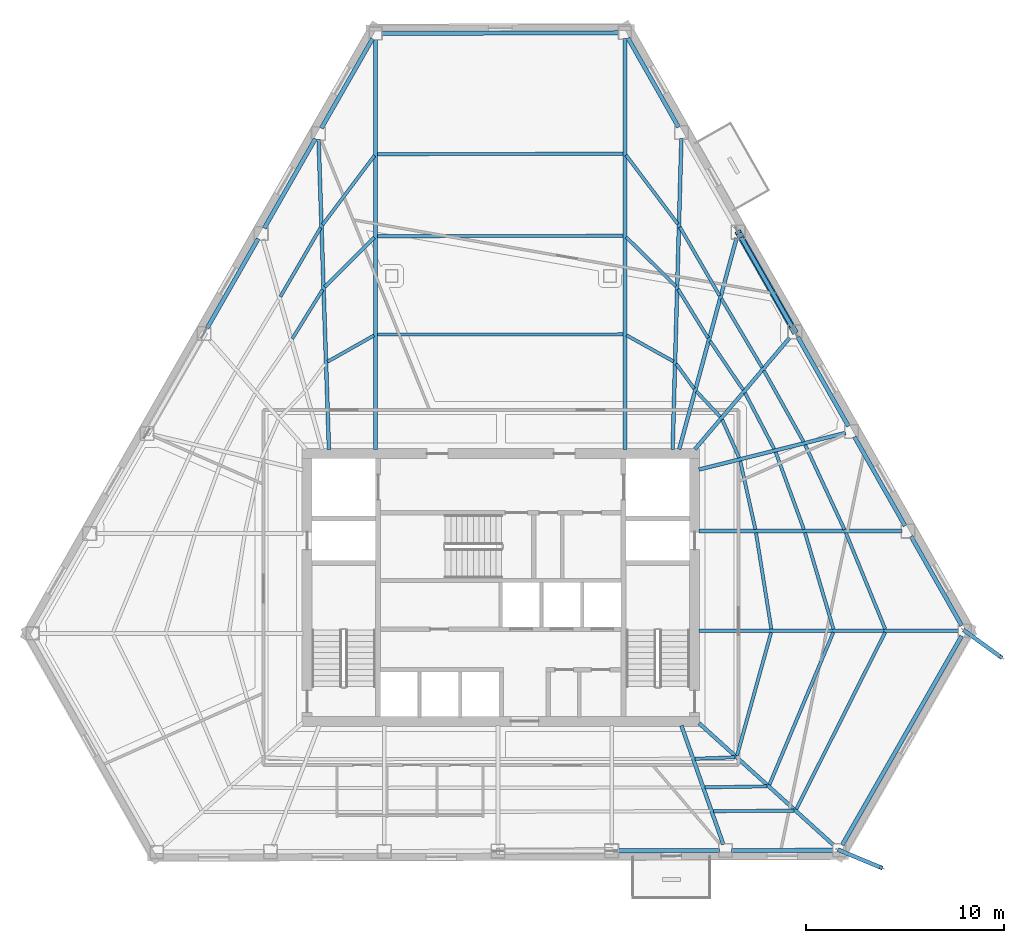
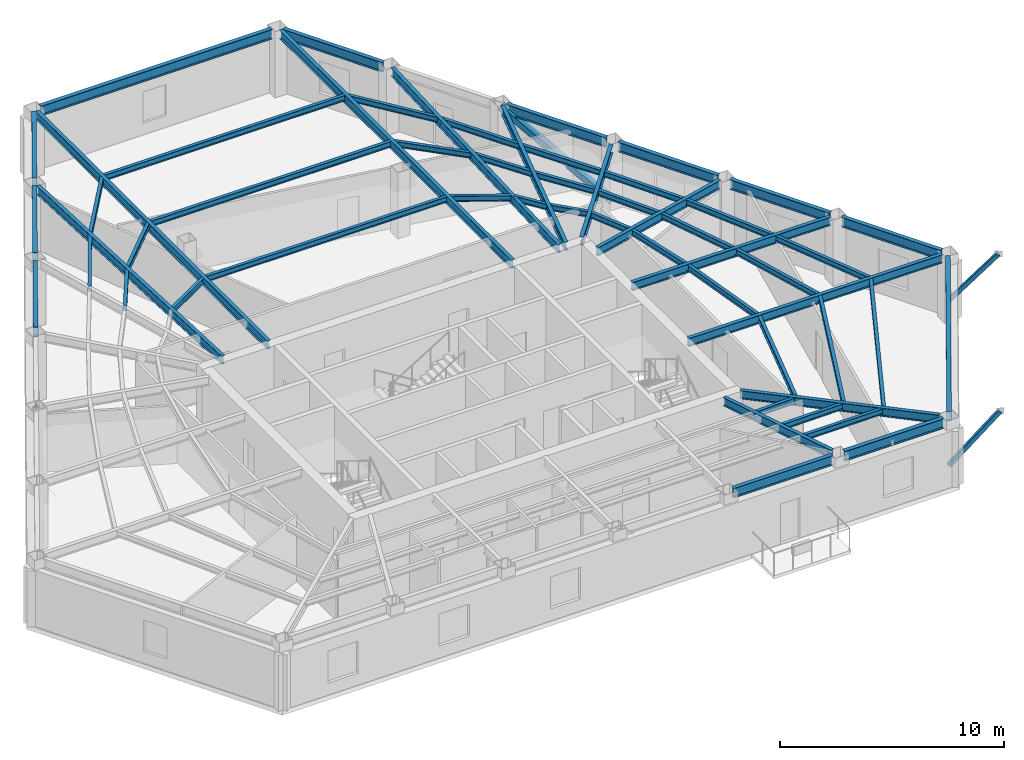
# One storey, part 2 of 11: 55 beams, 3 members.
"""IFC4 building model written with IfcOpenShell, lengths in metres."""

import ifcopenshell
import ifcopenshell.guid

model = None  # the IFC model being written
_history = None  # IfcOwnerHistory: only IFC2X3 demands one
_inside = {}  # id of a spatial element -> (the spatial element, [elements in it])
_under = {}  # id of a project, library or spatial element -> (it, [spatial elements below it])
_declared = {}  # id of a project -> (the project, [libraries it declares])
_typed = {}  # id of a type object -> (the type object, [elements of that type])
_made_of = {}  # id of a material, layer set ... -> (it, [elements and type objects made of it])


def new_model(schema):
    """Start an empty IFC model of exactly this schema.

    Asked for "IFC4X3", IfcOpenShell would pick the latest addendum, in which some entities
    have other attributes; the version numbers below select the first issue.
    IFC2X3 requires an IfcOwnerHistory on every rooted entity: one is made here for all.
    """
    global model, _history
    if schema == "IFC4X3":
        model = ifcopenshell.file(schema_version=(4, 3, 0, 0))
    else:
        model = ifcopenshell.file(schema=schema)
    _inside.clear()
    _under.clear()
    _declared.clear()
    _typed.clear()
    _made_of.clear()
    _history = None
    if model.schema == "IFC2X3":
        org = make("IfcOrganization", Name="unknown")
        user = make(
            "IfcPersonAndOrganization",
            ThePerson=make("IfcPerson", FamilyName="unknown"),
            TheOrganization=org,
        )
        app = make(
            "IfcApplication",
            ApplicationDeveloper=org,
            Version="unknown",
            ApplicationFullName="unknown",
            ApplicationIdentifier="unknown",
        )
        _history = make(
            "IfcOwnerHistory",
            OwningUser=user,
            OwningApplication=app,
            ChangeAction="ADDED",
            CreationDate=0,
        )
    return model


def make(cls, **values):
    """One entity of the class cls with the attributes given. An attribute that is None is left unset."""
    return model.create_entity(
        cls, **{name: value for name, value in values.items() if value is not None}
    )


def rooted(cls, **values):
    """An entity with a GlobalId (a new one), such as an element, a storey or a relation."""
    return make(cls, GlobalId=ifcopenshell.guid.new(), OwnerHistory=_history, **values)


def si_unit(unit_type, name, prefix=None):
    """IfcSIUnit, for example si_unit("LENGTHUNIT", "METRE", prefix="MILLI")."""
    return make("IfcSIUnit", UnitType=unit_type, Prefix=prefix, Name=name)


def assignment(units):
    """IfcUnitAssignment: the units of a project."""
    return None if units is None else make("IfcUnitAssignment", Units=units)


def point(xyz):
    """IfcCartesianPoint."""
    return None if xyz is None else make("IfcCartesianPoint", Coordinates=xyz)


def direction(xyz):
    """IfcDirection."""
    return None if xyz is None else make("IfcDirection", DirectionRatios=xyz)


def frame(location, z_axis=None, x_axis=None):
    """IfcAxis2Placement3D, a coordinate frame: its origin and axes. An axis left out is left unset."""
    return make(
        "IfcAxis2Placement3D",
        Location=point(location),
        Axis=direction(z_axis),
        RefDirection=direction(x_axis),
    )


def frame_2d(location, x_axis=None):
    """IfcAxis2Placement2D, a coordinate frame in the plane: its origin and x axis."""
    return make(
        "IfcAxis2Placement2D", Location=point(location), RefDirection=direction(x_axis)
    )


def origin():
    """The frame at (0, 0, 0) with its axes left unset."""
    return frame((0.0, 0.0, 0.0))


def origin_2d():
    """The frame at (0, 0) in the plane with its x axis left unset."""
    return frame_2d((0.0, 0.0))


def place(relative_to, where):
    """IfcLocalPlacement: puts the frame where relative to a parent placement (None: the world)."""
    return make(
        "IfcLocalPlacement", PlacementRelTo=relative_to, RelativePlacement=where
    )


def context(
    kind, dimensions, precision=None, world=None, true_north=None, identifier=None
):
    """IfcGeometricRepresentationContext, for example the 3D "Model" context."""
    return make(
        "IfcGeometricRepresentationContext",
        ContextIdentifier=identifier,
        ContextType=kind,
        CoordinateSpaceDimension=dimensions,
        Precision=precision,
        WorldCoordinateSystem=world,
        TrueNorth=true_north,
    )


def subcontext(parent, identifier, kind, view, scale=None):
    """IfcGeometricRepresentationSubContext, for example "Body" below "Model"."""
    return make(
        "IfcGeometricRepresentationSubContext",
        ContextIdentifier=identifier,
        ContextType=kind,
        ParentContext=parent,
        TargetScale=scale,
        TargetView=view,
    )


def project(units=None, contexts=None):
    """IfcProject with its units and contexts."""
    return rooted(
        "IfcProject",
        Name="project",
        RepresentationContexts=contexts,
        UnitsInContext=assignment(units),
    )


def spatial(cls, under=None, at=None, **own):
    """A site, building, storey or space (cls), placed at a placement, below another one or the project."""
    s = rooted(cls, ObjectPlacement=at, **own)
    if under is not None:
        _under.setdefault(under.id(), (under, []))[1].append(s)
    return s


def profile(cls, at=None, kind="AREA", **sizes):
    """A parametric profile (cls). Its sizes go by their IFC names, for example OverallWidth=200.0."""
    return make(cls, ProfileType=kind, Position=at, **sizes)


def hollow_rectangle(**sizes):
    """IfcRectangleHollowProfileDef."""
    return profile("IfcRectangleHollowProfileDef", **sizes)


def i_section(**sizes):
    """IfcIShapeProfileDef."""
    return profile("IfcIShapeProfileDef", **sizes)


def extrude(swept, where, along, depth):
    """IfcExtrudedAreaSolid: the profile swept, set in the frame where, extruded along a direction by depth."""
    return make(
        "IfcExtrudedAreaSolid",
        SweptArea=swept,
        Position=where,
        ExtrudedDirection=direction(along),
        Depth=depth,
    )


def shape(context_of_items, identifier, shape_type, items):
    """IfcShapeRepresentation: the items that make up one representation, for example the "Body"."""
    return make(
        "IfcShapeRepresentation",
        ContextOfItems=context_of_items,
        RepresentationIdentifier=identifier,
        RepresentationType=shape_type,
        Items=items,
    )


def material(Name=None, Category=None):
    """IfcMaterial."""
    return make("IfcMaterial", Name=Name, Category=Category)


def material_profile(
    of_material, cross_section, Name=None, Category=None, Priority=None
):
    """IfcMaterialProfile: a cross section and its material."""
    return make(
        "IfcMaterialProfile",
        Name=Name,
        Material=of_material,
        Profile=cross_section,
        Priority=Priority,
        Category=Category,
    )


def profile_set(profiles, Name=None, composite=None):
    """IfcMaterialProfileSet."""
    return make(
        "IfcMaterialProfileSet",
        Name=Name,
        MaterialProfiles=profiles,
        CompositeProfile=composite,
    )


def made_of(thing, what):
    """Note that an element or type object is made of a material, layer set ...; save() writes the relation."""
    if what is not None:
        _made_of.setdefault(what.id(), (what, []))[1].append(thing)
    return thing


def type_object(cls, material=None, **own):
    """A type object (cls), such as IfcWallType, which elements share."""
    return made_of(rooted(cls, **own), material)


def element(
    cls,
    number,
    at=None,
    inside=None,
    cuts=None,
    type_object=None,
    material=None,
    context=None,
    identifier="Body",
    shape_type=None,
    held_by="IfcProductDefinitionShape",
    body=None,
    shapes=None,
    **own,
):
    """One element of the class cls, such as IfcWall. Its Tag is "e" and its number.

    at: its placement. inside: the storey or other place that contains it. cuts: it is an
    opening in that element (IfcRelVoidsElement). A single representation is given by context,
    identifier, shape_type and body (its items); several are given by shapes. held_by: the class
    of the entity that holds the representations. save() writes the other relations.
    """
    e = rooted(cls, Tag="e%d" % number, ObjectPlacement=at, **own)
    if body is not None:
        shapes = [shape(context, identifier, shape_type, body)]
    if shapes is not None:
        e.Representation = make(held_by, Representations=shapes)
    if inside is not None:
        _inside.setdefault(inside.id(), (inside, []))[1].append(e)
    if cuts is not None:
        rooted(
            "IfcRelVoidsElement", RelatingBuildingElement=cuts, RelatedOpeningElement=e
        )
    if type_object is not None:
        _typed.setdefault(type_object.id(), (type_object, []))[1].append(e)
    return made_of(e, material)


def aggregate(whole, parts):
    """IfcRelAggregates: a whole, such as a stair, and the parts it consists of."""
    return rooted("IfcRelAggregates", RelatingObject=whole, RelatedObjects=parts)


def save(model, path):
    """Write the relations noted so far, then the file.

    IfcRelAggregates (storeys below a building ...), IfcRelContainedInSpatialStructure (elements
    in a storey), IfcRelDefinesByType, IfcRelAssociatesMaterial and IfcRelDeclares: one each for
    every whole, place, type object, material and project.
    """
    for whole, parts in _under.values():
        aggregate(whole, parts)
    for where, things in _inside.values():
        rooted(
            "IfcRelContainedInSpatialStructure",
            RelatedElements=things,
            RelatingStructure=where,
        )
    for kind, things in _typed.values():
        rooted("IfcRelDefinesByType", RelatedObjects=things, RelatingType=kind)
    for what, things in _made_of.values():
        rooted("IfcRelAssociatesMaterial", RelatedObjects=things, RelatingMaterial=what)
    for by, libraries in _declared.values():
        rooted("IfcRelDeclares", RelatingContext=by, RelatedDefinitions=libraries)
    model.write(path)


model = new_model("IFC4")

# Units and contexts
model_context = context("Model", 3, precision=1e-05, world=origin(), true_north=direction((0.0, 1.0)))
body_context = subcontext(model_context, "Body", "Model", "MODEL_VIEW")
ifc_project = project(units=[si_unit("LENGTHUNIT", "METRE"), si_unit("AREAUNIT", "SQUARE_METRE"), si_unit("VOLUMEUNIT", "CUBIC_METRE"), si_unit("PLANEANGLEUNIT", "RADIAN"), si_unit("MASSUNIT", "GRAM", prefix="KILO")], contexts=[model_context])

# Site, building, storey
site_placement = place(None, origin())
site = spatial("IfcSite", under=ifc_project, at=site_placement, CompositionType="ELEMENT")
building_placement = place(site_placement, origin())
building = spatial("IfcBuilding", under=site, at=building_placement, Name="Kavelnor Concourse Tower", CompositionType="ELEMENT")
storey_placement = place(building_placement, frame((0.0, 0.0, 89.35009765625)))
storey = spatial("IfcBuildingStorey", under=building, at=storey_placement, Name="L22", CompositionType="ELEMENT", Elevation=89.35009765625)

# Beams
ifc_material = material(Name="Steel Grade 350", Category="steel")
ifc_material_profile_1 = material_profile(ifc_material, i_section(OverallWidth=0.166015625, OverallDepth=0.306884765625, WebThickness=0.006591796875, FlangeThickness=0.01171875, at=origin_2d()), Name="310UB46")
ifc_profile_set_1 = profile_set([ifc_material_profile_1], Name="Steel Grade 350")
beam_type_1 = type_object("IfcBeamType", Name="BM-JOIST-310", PredefinedType="JOIST", material=ifc_profile_set_1)
beam_1_placement = place(storey_placement, frame((47.781494140625, 7.46240234375, 3.4462890625), z_axis=(0.999246227006, 0.038819812145, 0.0), x_axis=(-0.038819812145, 0.999246227006, 0.0)))
element("IfcBeam", 1, at=beam_1_placement, inside=storey, type_object=beam_type_1, Name="L22 Secondary Composite Joist 07-1", PredefinedType="JOIST", context=body_context, shape_type="SweptSolid", body=[
    extrude(i_section(OverallWidth=0.166015625, OverallDepth=0.306884765625, WebThickness=0.006591796875, FlangeThickness=0.01171875, at=origin_2d()), origin(), (0.0, 0.0, 1.0), 2.012451171875),
])
beam_2_placement = place(storey_placement, frame((48.2890625, 6.021240234375, 3.4462890625), z_axis=(0.999861530289, 0.016640920921, 0.0), x_axis=(-0.016640920921, 0.999861530289, 0.0)))
element("IfcBeam", 2, at=beam_2_placement, inside=storey, type_object=beam_type_1, Name="L22 Secondary Composite Joist 07-2", PredefinedType="JOIST", context=body_context, shape_type="SweptSolid", body=[
    extrude(i_section(OverallWidth=0.166015625, OverallDepth=0.306884765625, WebThickness=0.006591796875, FlangeThickness=0.01171875, at=origin_2d()), origin(), (0.0, 0.0, 1.0), 3.125),
])
beam_3_placement = place(storey_placement, frame((48.7119140625, 4.8212890625, 3.4462890625), z_axis=(0.999975582217, 0.006988202153, 0.0), x_axis=(-0.006988202153, 0.999975582217, 0.0)))
element("IfcBeam", 3, at=beam_3_placement, inside=storey, type_object=beam_type_1, Name="L22 Secondary Composite Joist 07-3", PredefinedType="JOIST", context=body_context, shape_type="SweptSolid", body=[
    extrude(i_section(OverallWidth=0.166015625, OverallDepth=0.306884765625, WebThickness=0.006591796875, FlangeThickness=0.01171875, at=origin_2d()), origin(), (0.0, 0.0, 1.0), 4.052490234375),
])
beam_4_placement = place(storey_placement, frame((49.9052734375, 7.629638671875, 3.4462890625), z_axis=(0.267074278814, 0.963675946362, 0.0), x_axis=(-0.963675946362, 0.267074278814, 0.0)))
element("IfcBeam", 4, at=beam_4_placement, inside=storey, type_object=beam_type_1, Name="L22 Secondary Composite Joist 08-1", PredefinedType="JOIST", context=body_context, shape_type="SweptSolid", body=[
    extrude(i_section(OverallWidth=0.166015625, OverallDepth=0.306884765625, WebThickness=0.006591796875, FlangeThickness=0.01171875, at=origin_2d()), origin(), (0.0, 0.0, 1.0), 6.43359375),
])
beam_5_placement = place(storey_placement, frame((51.537109375, 6.15673828125, 3.4462890625), z_axis=(0.38670736552, 0.922202479639, 0.0), x_axis=(-0.922202479639, 0.38670736552, 0.0)))
element("IfcBeam", 5, at=beam_5_placement, inside=storey, type_object=beam_type_1, Name="L22 Secondary Composite Joist 08-2", PredefinedType="JOIST", context=body_context, shape_type="SweptSolid", body=[
    extrude(i_section(OverallWidth=0.166015625, OverallDepth=0.306884765625, WebThickness=0.006591796875, FlangeThickness=0.01171875, at=origin_2d()), origin(), (0.0, 0.0, 1.0), 8.32421875),
])
beam_6_placement = place(storey_placement, frame((52.893310546875, 4.929931640625, 3.4462890625), z_axis=(0.449132836101, 0.893464994018, 0.0), x_axis=(-0.893464994018, 0.449132836101, 0.0)))
element("IfcBeam", 6, at=beam_6_placement, inside=storey, type_object=beam_type_1, Name="L22 Secondary Composite Joist 08-3", PredefinedType="JOIST", context=body_context, shape_type="SweptSolid", body=[
    extrude(i_section(OverallWidth=0.166015625, OverallDepth=0.306884765625, WebThickness=0.006591796875, FlangeThickness=0.01171875, at=origin_2d()), origin(), (0.0, 0.0, 1.0), 9.9677734375),
])
beam_7_placement = place(storey_placement, frame((51.63330078125, 14.003173828125, 3.4462890625), z_axis=(-0.157055519667, 0.987589775029, 0.0), x_axis=(-0.987589775029, -0.157055519667, 0.0)))
element("IfcBeam", 7, at=beam_7_placement, inside=storey, type_object=beam_type_1, Name="L22 Secondary Composite Joist 09-1", PredefinedType="JOIST", context=body_context, shape_type="SweptSolid", body=[
    extrude(i_section(OverallWidth=0.166015625, OverallDepth=0.306884765625, WebThickness=0.006591796875, FlangeThickness=0.01171875, at=origin_2d()), origin(), (0.0, 0.0, 1.0), 4.9091796875),
])
beam_8_placement = place(storey_placement, frame((54.765380859375, 14.000732421875, 3.4462890625), z_axis=(-0.283299751307, 0.95903141289, 0.0), x_axis=(-0.95903141289, -0.283299751307, 0.0)))
element("IfcBeam", 8, at=beam_8_placement, inside=storey, type_object=beam_type_1, Name="L22 Secondary Composite Joist 09-2", PredefinedType="JOIST", context=body_context, shape_type="SweptSolid", body=[
    extrude(i_section(OverallWidth=0.166015625, OverallDepth=0.306884765625, WebThickness=0.006591796875, FlangeThickness=0.01171875, at=origin_2d()), origin(), (0.0, 0.0, 1.0), 5.060302734375),
])
beam_9_placement = place(storey_placement, frame((57.37646484375, 13.997802734375, 3.4462890625), z_axis=(-0.378564031313, 0.925575104568, 0.0), x_axis=(-0.925575104568, -0.378564031313, 0.0)))
element("IfcBeam", 9, at=beam_9_placement, inside=storey, type_object=beam_type_1, Name="L22 Secondary Composite Joist 09-3", PredefinedType="JOIST", context=body_context, shape_type="SweptSolid", body=[
    extrude(i_section(OverallWidth=0.166015625, OverallDepth=0.306884765625, WebThickness=0.006591796875, FlangeThickness=0.01171875, at=origin_2d()), origin(), (0.0, 0.0, 1.0), 5.24951171875),
])
beam_10_placement = place(storey_placement, frame((50.8291015625, 19.02587890625, 3.4462890625), z_axis=(-0.215508647464, 0.97650193183, 0.0), x_axis=(-0.97650193183, -0.215508647464, 0.0)))
element("IfcBeam", 10, at=beam_10_placement, inside=storey, type_object=beam_type_1, Name="L22 Secondary Composite Joist 10-1", PredefinedType="JOIST", context=body_context, shape_type="SweptSolid", body=[
    extrude(i_section(OverallWidth=0.166015625, OverallDepth=0.306884765625, WebThickness=0.006591796875, FlangeThickness=0.01171875, at=origin_2d()), origin(), (0.0, 0.0, 1.0), 3.52783203125),
])
beam_11_placement = place(storey_placement, frame((53.276123046875, 19.022705078125, 3.4462890625), z_axis=(-0.343160985774, 0.939276603479, 0.0), x_axis=(-0.939276603479, -0.343160985774, 0.0)))
element("IfcBeam", 11, at=beam_11_placement, inside=storey, type_object=beam_type_1, Name="L22 Secondary Composite Joist 10-2", PredefinedType="JOIST", context=body_context, shape_type="SweptSolid", body=[
    extrude(i_section(OverallWidth=0.166015625, OverallDepth=0.306884765625, WebThickness=0.006591796875, FlangeThickness=0.01171875, at=origin_2d()), origin(), (0.0, 0.0, 1.0), 4.146240234375),
])
beam_12_placement = place(storey_placement, frame((55.318115234375, 19.019775390625, 3.4462890625), z_axis=(-0.420774472176, 0.907165279078, 0.0), x_axis=(-0.907165279078, -0.420774472176, 0.0)))
element("IfcBeam", 12, at=beam_12_placement, inside=storey, type_object=beam_type_1, Name="L22 Secondary Composite Joist 10-3", PredefinedType="JOIST", context=body_context, shape_type="SweptSolid", body=[
    extrude(i_section(OverallWidth=0.166015625, OverallDepth=0.306884765625, WebThickness=0.006591796875, FlangeThickness=0.01171875, at=origin_2d()), origin(), (0.0, 0.0, 1.0), 4.706787109375),
])
beam_13_placement = place(storey_placement, frame((50.013427734375, 22.638916015625, 3.4462890625), z_axis=(-0.407861790914, 0.913043678863, 0.0), x_axis=(-0.913043678863, -0.407861790914, 0.0)))
element("IfcBeam", 13, at=beam_13_placement, inside=storey, type_object=beam_type_1, Name="L22 Secondary Composite Joist 11-1", PredefinedType="JOIST", context=body_context, shape_type="SweptSolid", body=[
    extrude(i_section(OverallWidth=0.166015625, OverallDepth=0.306884765625, WebThickness=0.006591796875, FlangeThickness=0.01171875, at=origin_2d()), origin(), (0.0, 0.0, 1.0), 2.102294921875),
])
beam_14_placement = place(storey_placement, frame((51.781494140625, 23.079833984375, 3.4462890625), z_axis=(-0.46285377592, 0.886434646275, 0.0), x_axis=(-0.886434646275, -0.46285377592, 0.0)))
element("IfcBeam", 14, at=beam_14_placement, inside=storey, type_object=beam_type_1, Name="L22 Secondary Composite Joist 11-2", PredefinedType="JOIST", context=body_context, shape_type="SweptSolid", body=[
    extrude(i_section(OverallWidth=0.166015625, OverallDepth=0.306884765625, WebThickness=0.006591796875, FlangeThickness=0.01171875, at=origin_2d()), origin(), (0.0, 0.0, 1.0), 3.18896484375),
])
beam_15_placement = place(storey_placement, frame((53.2568359375, 23.447998046875, 3.4462890625), z_axis=(-0.486759935558, 0.873535783546, 0.0), x_axis=(-0.873535783546, -0.486759935558, 0.0)))
element("IfcBeam", 15, at=beam_15_placement, inside=storey, type_object=beam_type_1, Name="L22 Secondary Composite Joist 11-3", PredefinedType="JOIST", context=body_context, shape_type="SweptSolid", body=[
    extrude(i_section(OverallWidth=0.166015625, OverallDepth=0.306884765625, WebThickness=0.006591796875, FlangeThickness=0.01171875, at=origin_2d()), origin(), (0.0, 0.0, 1.0), 4.099853515625),
])
beam_16_placement = place(storey_placement, frame((49.058837890625, 24.70458984375, 3.4462890625), z_axis=(-0.685425658619, 0.728142614126, 0.0), x_axis=(-0.728142614126, -0.685425658619, 0.0)))
element("IfcBeam", 16, at=beam_16_placement, inside=storey, type_object=beam_type_1, Name="L22 Secondary Composite Joist 12-1", PredefinedType="JOIST", context=body_context, shape_type="SweptSolid", body=[
    extrude(i_section(OverallWidth=0.166015625, OverallDepth=0.306884765625, WebThickness=0.006591796875, FlangeThickness=0.01171875, at=origin_2d()), origin(), (0.0, 0.0, 1.0), 1.748779296875),
])
beam_17_placement = place(storey_placement, frame((50.21435546875, 26.05908203125, 3.4462890625), z_axis=(-0.561114523132, 0.827738178369, 0.0), x_axis=(-0.827738178369, -0.561114523132, 0.0)))
element("IfcBeam", 17, at=beam_17_placement, inside=storey, type_object=beam_type_1, Name="L22 Secondary Composite Joist 12-2", PredefinedType="JOIST", context=body_context, shape_type="SweptSolid", body=[
    extrude(i_section(OverallWidth=0.166015625, OverallDepth=0.306884765625, WebThickness=0.006591796875, FlangeThickness=0.01171875, at=origin_2d()), origin(), (0.0, 0.0, 1.0), 2.978759765625),
])
beam_18_placement = place(storey_placement, frame((51.172607421875, 27.18359375, 3.4462890625), z_axis=(-0.50997336152, 0.860190194399, 0.0), x_axis=(-0.860190194399, -0.50997336152, 0.0)))
element("IfcBeam", 18, at=beam_18_placement, inside=storey, type_object=beam_type_1, Name="L22 Secondary Composite Joist 12-3", PredefinedType="JOIST", context=body_context, shape_type="SweptSolid", body=[
    extrude(i_section(OverallWidth=0.166015625, OverallDepth=0.306884765625, WebThickness=0.006591796875, FlangeThickness=0.01171875, at=origin_2d()), origin(), (0.0, 0.0, 1.0), 4.031494140625),
])
beam_19_placement = place(storey_placement, frame((47.7470703125, 26.114990234375, 3.4462890625), z_axis=(-0.58616576856, 0.810191145205, 0.0), x_axis=(-0.810191145205, -0.58616576856, 0.0)))
element("IfcBeam", 19, at=beam_19_placement, inside=storey, type_object=beam_type_1, Name="L22 Secondary Composite Joist 13-1", PredefinedType="JOIST", context=body_context, shape_type="SweptSolid", body=[
    extrude(i_section(OverallWidth=0.166015625, OverallDepth=0.306884765625, WebThickness=0.006591796875, FlangeThickness=0.01171875, at=origin_2d()), origin(), (0.0, 0.0, 1.0), 1.557373046875),
])
beam_20_placement = place(storey_placement, frame((48.4462890625, 28.674072265625, 3.4462890625), z_axis=(-0.523356729212, 0.85211368607, 0.0), x_axis=(-0.85211368607, -0.523356729212, 0.0)))
element("IfcBeam", 20, at=beam_20_placement, inside=storey, type_object=beam_type_1, Name="L22 Secondary Composite Joist 13-2", PredefinedType="JOIST", context=body_context, shape_type="SweptSolid", body=[
    extrude(i_section(OverallWidth=0.166015625, OverallDepth=0.306884765625, WebThickness=0.006591796875, FlangeThickness=0.01171875, at=origin_2d()), origin(), (0.0, 0.0, 1.0), 2.887939453125),
])
beam_21_placement = place(storey_placement, frame((49.026611328125, 30.8046875, 3.4462890625), z_axis=(-0.501031461622, 0.865429069575, 0.0), x_axis=(-0.865429069575, -0.501031461622, 0.0)))
element("IfcBeam", 21, at=beam_21_placement, inside=storey, type_object=beam_type_1, Name="L22 Secondary Composite Joist 13-3", PredefinedType="JOIST", context=body_context, shape_type="SweptSolid", body=[
    extrude(i_section(OverallWidth=0.166015625, OverallDepth=0.306884765625, WebThickness=0.006591796875, FlangeThickness=0.01171875, at=origin_2d()), origin(), (0.0, 0.0, 1.0), 4.00244140625),
])
beam_22_placement = place(storey_placement, frame((46.704345703125, 27.4921875, 3.4462890625), z_axis=(-0.873741122045, 0.48639125367, 0.0), x_axis=(-0.48639125367, -0.873741122045, 0.0)))
element("IfcBeam", 22, at=beam_22_placement, inside=storey, type_object=beam_type_1, Name="L22 Secondary Composite Joist 14-1", PredefinedType="JOIST", context=body_context, shape_type="SweptSolid", body=[
    extrude(i_section(OverallWidth=0.166015625, OverallDepth=0.306884765625, WebThickness=0.006591796875, FlangeThickness=0.01171875, at=origin_2d()), origin(), (0.0, 0.0, 1.0), 2.714111328125),
])
beam_23_placement = place(storey_placement, frame((46.8251953125, 31.2734375, 3.4462890625), z_axis=(-0.709901295891, 0.704301178539, 0.0), x_axis=(-0.704301178539, -0.709901295891, 0.0)))
element("IfcBeam", 23, at=beam_23_placement, inside=storey, type_object=beam_type_1, Name="L22 Secondary Composite Joist 14-2", PredefinedType="JOIST", context=body_context, shape_type="SweptSolid", body=[
    extrude(i_section(OverallWidth=0.166015625, OverallDepth=0.306884765625, WebThickness=0.006591796875, FlangeThickness=0.01171875, at=origin_2d()), origin(), (0.0, 0.0, 1.0), 3.53125),
])
beam_24_placement = place(storey_placement, frame((46.923095703125, 34.416748046875, 3.4462890625), z_axis=(-0.601229933483, 0.799076070899, 0.0), x_axis=(-0.799076070899, -0.601229933483, 0.0)))
element("IfcBeam", 24, at=beam_24_placement, inside=storey, type_object=beam_type_1, Name="L22 Secondary Composite Joist 14-3", PredefinedType="JOIST", context=body_context, shape_type="SweptSolid", body=[
    extrude(i_section(OverallWidth=0.166015625, OverallDepth=0.306884765625, WebThickness=0.006591796875, FlangeThickness=0.01171875, at=origin_2d()), origin(), (0.0, 0.0, 1.0), 4.3486328125),
])
for number, where, z_axis, x_axis, name in (
    (25, (44.166259765625, 28.85546875, 3.4462890625), (-0.999999704934, -0.000768200215, 0.0), (0.000768200215, -0.999999704934, 0.0), "L22 Secondary Composite Joist 15-1"),
    (26, (44.166259765625, 33.822998046875, 3.4462890625), (-0.999998994333, -0.001418214773, 0.0), (0.001418214773, -0.999998994333, 0.0), "L22 Secondary Composite Joist 15-2"),
    (27, (44.166259765625, 37.96240234375, 3.4462890625), (-0.999998098663, -0.001950043566, 0.0), (0.001950043566, -0.999998098663, 0.0), "L22 Secondary Composite Joist 15-3"),
):
    element("IfcBeam", number, at=place(storey_placement, frame(where, z_axis=z_axis, x_axis=x_axis)), inside=storey, type_object=beam_type_1, Name=name, PredefinedType="JOIST", context=body_context, shape_type="SweptSolid", body=[
        extrude(i_section(OverallWidth=0.166015625, OverallDepth=0.306884765625, WebThickness=0.006591796875, FlangeThickness=0.01171875, at=origin_2d()), origin(), (0.0, 0.0, 1.0), 12.39453125),
    ])
beam_25_placement = place(storey_placement, frame((31.605224609375, 28.802001953125, 3.4462890625), z_axis=(-0.870386856237, -0.492368480399, 0.0), x_axis=(0.492368480399, -0.870386856237, 0.0)))
element("IfcBeam", 28, at=beam_25_placement, inside=storey, type_object=beam_type_1, Name="L22 Secondary Composite Joist 16-1", PredefinedType="JOIST", context=body_context, shape_type="SweptSolid", body=[
    extrude(i_section(OverallWidth=0.166015625, OverallDepth=0.306884765625, WebThickness=0.006591796875, FlangeThickness=0.01171875, at=origin_2d()), origin(), (0.0, 0.0, 1.0), 2.68798828125),
])
beam_26_placement = place(storey_placement, frame((31.619873046875, 33.7421875, 3.4462890625), z_axis=(-0.707037575728, -0.707175979873, 0.0), x_axis=(0.707175979873, -0.707037575728, 0.0)))
element("IfcBeam", 29, at=beam_26_placement, inside=storey, type_object=beam_type_1, Name="L22 Secondary Composite Joist 16-2", PredefinedType="JOIST", context=body_context, shape_type="SweptSolid", body=[
    extrude(i_section(OverallWidth=0.166015625, OverallDepth=0.306884765625, WebThickness=0.006591796875, FlangeThickness=0.01171875, at=origin_2d()), origin(), (0.0, 0.0, 1.0), 3.52783203125),
])
beam_27_placement = place(storey_placement, frame((31.62939453125, 37.866943359375, 3.4462890625), z_axis=(-0.600438913771, -0.799670626464, 0.0), x_axis=(0.799670626464, -0.600438913771, 0.0)))
element("IfcBeam", 30, at=beam_27_placement, inside=storey, type_object=beam_type_1, Name="L22 Secondary Composite Joist 16-3", PredefinedType="JOIST", context=body_context, shape_type="SweptSolid", body=[
    extrude(i_section(OverallWidth=0.166015625, OverallDepth=0.306884765625, WebThickness=0.006591796875, FlangeThickness=0.01171875, at=origin_2d()), origin(), (0.0, 0.0, 1.0), 4.360107421875),
])
beam_28_placement = place(storey_placement, frame((29.015869140625, 31.108642578125, 3.4462890625), z_axis=(-0.526276481376, -0.850313509919, 0.0), x_axis=(0.850313509919, -0.526276481376, 0.0)))
element("IfcBeam", 31, at=beam_28_placement, inside=storey, type_object=beam_type_1, Name="L22 Secondary Composite Joist 17-2", PredefinedType="JOIST", context=body_context, shape_type="SweptSolid", body=[
    extrude(i_section(OverallWidth=0.166015625, OverallDepth=0.306884765625, WebThickness=0.006591796875, FlangeThickness=0.01171875, at=origin_2d()), origin(), (0.0, 0.0, 1.0), 2.904541015625),
])
beam_29_placement = place(storey_placement, frame((28.9130859375, 34.232177734375, 3.4462890625), z_axis=(-0.503512525414, -0.863987926276, 0.0), x_axis=(0.863987926276, -0.503512525414, 0.0)))
element("IfcBeam", 32, at=beam_29_placement, inside=storey, type_object=beam_type_1, Name="L22 Secondary Composite Joist 17-3", PredefinedType="JOIST", context=body_context, shape_type="SweptSolid", body=[
    extrude(i_section(OverallWidth=0.166015625, OverallDepth=0.306884765625, WebThickness=0.006591796875, FlangeThickness=0.01171875, at=origin_2d()), origin(), (0.0, 0.0, 1.0), 4.02294921875),
])
ifc_material_profile_2 = material_profile(ifc_material, i_section(OverallWidth=0.18994140625, OverallDepth=0.4541015625, WebThickness=0.008544921875, FlangeThickness=0.0126953125, at=origin_2d()), Name="460UB67")
ifc_profile_set_2 = profile_set([ifc_material_profile_2], Name="Steel Grade 350")
beam_type_2 = type_object("IfcBeamType", Name="BM-PRIMARY-460", PredefinedType="BEAM", material=ifc_profile_set_2)
beam_30_placement = place(storey_placement, frame((31.682861328125, 23.06005859375, 3.372802734375), z_axis=(0.0, 1.0, 0.0), x_axis=(-1.0, 0.0, 0.0)))
element("IfcBeam", 33, at=beam_30_placement, inside=storey, type_object=beam_type_2, Name="L22 Primary Floor Girder F0-B0", PredefinedType="BEAM", context=body_context, shape_type="SweptSolid", body=[
    extrude(i_section(OverallWidth=0.18994140625, OverallDepth=0.4541015625, WebThickness=0.008544921875, FlangeThickness=0.0126953125, at=origin_2d()), origin(), (0.0, 0.0, 1.0), 20.6640625),
])
beam_31_placement = place(storey_placement, frame((29.33447265625, 23.06005859375, 3.372802734375), z_axis=(-0.033452631165, 0.999440304104, 0.0), x_axis=(-0.999440304104, -0.033452631165, 0.0)))
element("IfcBeam", 34, at=beam_31_placement, inside=storey, type_object=beam_type_2, Name="L22 Primary Floor Girder F0-B1", PredefinedType="BEAM", context=body_context, shape_type="SweptSolid", body=[
    extrude(i_section(OverallWidth=0.18994140625, OverallDepth=0.4541015625, WebThickness=0.008544921875, FlangeThickness=0.0126953125, at=origin_2d()), origin(), (0.0, 0.0, 1.0), 15.632568359375),
])
beam_32_placement = place(storey_placement, frame((47.100341796875, 9.1376953125, 3.372802734375), z_axis=(0.332607204724, -0.943065452323, 0.0), x_axis=(0.943065452323, 0.332607204724, 0.0)))
element("IfcBeam", 35, at=beam_32_placement, inside=storey, type_object=beam_type_2, Name="L22 Primary Floor Girder F1-B5", PredefinedType="BEAM", context=body_context, shape_type="SweptSolid", body=[
    extrude(i_section(OverallWidth=0.18994140625, OverallDepth=0.4541015625, WebThickness=0.008544921875, FlangeThickness=0.0126953125, at=origin_2d()), origin(), (0.0, 0.0, 1.0), 6.358154296875),
])
beam_33_placement = place(storey_placement, frame((47.990478515625, 9.258056640625, 3.372802734375), z_axis=(0.740926977371, -0.671585597079, 0.0), x_axis=(0.671585597079, 0.740926977371, 0.0)))
element("IfcBeam", 36, at=beam_33_placement, inside=storey, type_object=beam_type_2, Name="L22 Primary Floor Girder F1-B6", PredefinedType="BEAM", context=body_context, shape_type="SweptSolid", body=[
    extrude(i_section(OverallWidth=0.18994140625, OverallDepth=0.4541015625, WebThickness=0.008544921875, FlangeThickness=0.0126953125, at=origin_2d()), origin(), (0.0, 0.0, 1.0), 9.115478515625),
])
beam_34_placement = place(storey_placement, frame((47.97998046875, 13.915283203125, 3.372802734375), z_axis=(1.0, 0.0, 0.0), x_axis=(0.0, 1.0, 0.0)))
element("IfcBeam", 37, at=beam_34_placement, inside=storey, type_object=beam_type_2, Name="L22 Primary Floor Girder F2-B0", PredefinedType="BEAM", context=body_context, shape_type="SweptSolid", body=[
    extrude(i_section(OverallWidth=0.18994140625, OverallDepth=0.4541015625, WebThickness=0.008544921875, FlangeThickness=0.0126953125, at=origin_2d()), origin(), (0.0, 0.0, 1.0), 13.097412109375),
])
beam_35_placement = place(storey_placement, frame((47.97998046875, 18.939208984375, 3.372802734375), z_axis=(1.0, 0.0, 0.0), x_axis=(0.0, 1.0, 0.0)))
element("IfcBeam", 38, at=beam_35_placement, inside=storey, type_object=beam_type_2, Name="L22 Primary Floor Girder F2-B1", PredefinedType="BEAM", context=body_context, shape_type="SweptSolid", body=[
    extrude(i_section(OverallWidth=0.18994140625, OverallDepth=0.4541015625, WebThickness=0.008544921875, FlangeThickness=0.0126953125, at=origin_2d()), origin(), (0.0, 0.0, 1.0), 10.24365234375),
])
beam_36_placement = place(storey_placement, frame((47.981201171875, 22.040283203125, 3.372802734375), z_axis=(0.970127411337, 0.242595972293, 0.0), x_axis=(-0.242595972293, 0.970127411337, 0.0)))
element("IfcBeam", 39, at=beam_36_placement, inside=storey, type_object=beam_type_2, Name="L22 Primary Floor Girder F2-B2", PredefinedType="BEAM", context=body_context, shape_type="SweptSolid", body=[
    extrude(i_section(OverallWidth=0.18994140625, OverallDepth=0.4541015625, WebThickness=0.008544921875, FlangeThickness=0.0126953125, at=origin_2d()), origin(), (0.0, 0.0, 1.0), 7.615234375),
])
beam_37_placement = place(storey_placement, frame((47.78466796875, 23.069580078125, 3.372802734375), z_axis=(0.647789935442, 0.761819007074, 0.0), x_axis=(-0.761819007074, 0.647789935442, 0.0)))
element("IfcBeam", 40, at=beam_37_placement, inside=storey, type_object=beam_type_2, Name="L22 Primary Floor Girder F2-B3", PredefinedType="BEAM", context=body_context, shape_type="SweptSolid", body=[
    extrude(i_section(OverallWidth=0.18994140625, OverallDepth=0.4541015625, WebThickness=0.008544921875, FlangeThickness=0.0126953125, at=origin_2d()), origin(), (0.0, 0.0, 1.0), 7.36083984375),
])
beam_38_placement = place(storey_placement, frame((46.989501953125, 23.061279296875, 3.372802734375), z_axis=(0.26205190792, 0.965053779618, 0.0), x_axis=(-0.965053779618, 0.26205190792, 0.0)))
element("IfcBeam", 41, at=beam_38_placement, inside=storey, type_object=beam_type_2, Name="L22 Primary Floor Girder F2-B4", PredefinedType="BEAM", context=body_context, shape_type="SweptSolid", body=[
    extrude(i_section(OverallWidth=0.18994140625, OverallDepth=0.4541015625, WebThickness=0.008544921875, FlangeThickness=0.0126953125, at=origin_2d()), origin(), (0.0, 0.0, 1.0), 11.033447265625),
])
beam_39_placement = place(storey_placement, frame((46.658447265625, 23.06005859375, 3.372802734375), z_axis=(0.028181071164, 0.999602834744, 0.0), x_axis=(-0.999602834744, 0.028181071164, 0.0)))
element("IfcBeam", 42, at=beam_39_placement, inside=storey, type_object=beam_type_2, Name="L22 Primary Floor Girder F2-B5", PredefinedType="BEAM", context=body_context, shape_type="SweptSolid", body=[
    extrude(i_section(OverallWidth=0.18994140625, OverallDepth=0.4541015625, WebThickness=0.008544921875, FlangeThickness=0.0126953125, at=origin_2d()), origin(), (0.0, 0.0, 1.0), 15.6806640625),
])
beam_40_placement = place(storey_placement, frame((44.255126953125, 23.06005859375, 3.372802734375), z_axis=(0.0, 1.0, 0.0), x_axis=(-1.0, 0.0, 0.0)))
element("IfcBeam", 43, at=beam_40_placement, inside=storey, type_object=beam_type_2, Name="L22 Primary Floor Girder F2-B6", PredefinedType="BEAM", context=body_context, shape_type="SweptSolid", body=[
    extrude(i_section(OverallWidth=0.18994140625, OverallDepth=0.4541015625, WebThickness=0.008544921875, FlangeThickness=0.0126953125, at=origin_2d()), origin(), (0.0, 0.0, 1.0), 20.6982421875),
])
ifc_material_profile_3 = material_profile(ifc_material, i_section(OverallWidth=0.208984375, OverallDepth=0.532958984375, WebThickness=0.01025390625, FlangeThickness=0.015625, at=origin_2d()), Name="530UB92")
ifc_profile_set_3 = profile_set([ifc_material_profile_3], Name="Steel Grade 350")
beam_type_3 = type_object("IfcBeamType", Name="BM-SPANDREL-Z2", PredefinedType="SPANDREL", material=ifc_profile_set_3)
beam_41_placement = place(storey_placement, frame((31.531494140625, 43.75927734375, 3.33349609375), z_axis=(-0.496290739223, -0.868156381167, 0.0), x_axis=(0.868156381167, -0.496290739223, 0.0)))
element("IfcBeam", 44, at=beam_41_placement, inside=storey, type_object=beam_type_3, Name="L22 Perimeter Tube Spandrel Beam F0-B0", PredefinedType="SPANDREL", context=body_context, shape_type="SweptSolid", body=[
    extrude(i_section(OverallWidth=0.208984375, OverallDepth=0.532958984375, WebThickness=0.01025390625, FlangeThickness=0.015625, at=origin_2d()), origin(), (0.0, 0.0, 1.0), 5.19580078125),
])
for number, where, z_axis, x_axis, name in (
    (45, (28.650146484375, 38.718994140625, 3.33349609375), (-0.496255323092, -0.868176626213, 0.0), (0.868176626213, -0.496255323092, 0.0), "L22 Perimeter Tube Spandrel Beam F0-B1"),
    (46, (25.768798828125, 33.6787109375, 3.33349609375), (-0.496275568578, -0.86816505345, 0.0), (0.86816505345, -0.496275568578, 0.0), "L22 Perimeter Tube Spandrel Beam F0-B2"),
):
    element("IfcBeam", number, at=place(storey_placement, frame(where, z_axis=z_axis, x_axis=x_axis)), inside=storey, type_object=beam_type_3, Name=name, PredefinedType="SPANDREL", context=body_context, shape_type="SweptSolid", body=[
        extrude(i_section(OverallWidth=0.208984375, OverallDepth=0.532958984375, WebThickness=0.01025390625, FlangeThickness=0.015625, at=origin_2d()), origin(), (0.0, 0.0, 1.0), 5.195556640625),
    ])
beam_42_placement = place(storey_placement, frame((43.9501953125, 44.057373046875, 3.33349609375), z_axis=(-0.999996316046, -0.002714386506, 0.0), x_axis=(0.002714386506, -0.999996316046, 0.0)))
element("IfcBeam", 47, at=beam_42_placement, inside=storey, type_object=beam_type_3, Name="L22 Chamfer Facet Spandrel Beam C0", PredefinedType="SPANDREL", context=body_context, shape_type="SweptSolid", body=[
    extrude(i_section(OverallWidth=0.208984375, OverallDepth=0.532958984375, WebThickness=0.01025390625, FlangeThickness=0.015625, at=origin_2d()), origin(), (0.0, 0.0, 1.0), 11.96240234375),
])
beam_43_placement = place(storey_placement, frame((43.8935546875, 2.82470703125, 3.33349609375), z_axis=(0.999996310727, 0.002716345297, 0.0), x_axis=(-0.002716345297, 0.999996310727, 0.0)))
element("IfcBeam", 48, at=beam_43_placement, inside=storey, type_object=beam_type_3, Name="L22 Perimeter Tube Spandrel Beam F1-B4", PredefinedType="SPANDREL", context=body_context, shape_type="SweptSolid", body=[
    extrude(i_section(OverallWidth=0.208984375, OverallDepth=0.532958984375, WebThickness=0.01025390625, FlangeThickness=0.015625, at=origin_2d()), origin(), (0.0, 0.0, 1.0), 5.123046875),
])
beam_44_placement = place(storey_placement, frame((49.626708984375, 2.840087890625, 3.33349609375), z_axis=(0.999996180508, 0.002763868405, 0.0), x_axis=(-0.002763868405, 0.999996180508, 0.0)))
element("IfcBeam", 49, at=beam_44_placement, inside=storey, type_object=beam_type_3, Name="L22 Perimeter Tube Spandrel Beam F1-B5", PredefinedType="SPANDREL", context=body_context, shape_type="SweptSolid", body=[
    extrude(i_section(OverallWidth=0.208984375, OverallDepth=0.532958984375, WebThickness=0.01025390625, FlangeThickness=0.015625, at=origin_2d()), origin(), (0.0, 0.0, 1.0), 5.123291015625),
])
for number, where, z_axis, x_axis, name in (
    (50, (61.226806640625, 14.180419921875, 3.33349609375), (-0.493924179915, 0.869504976694, 0.0), (-0.869504976694, -0.493924179915, 0.0), "L22 Perimeter Tube Spandrel Beam F2-B0"),
    (51, (58.373046875, 19.204345703125, 3.33349609375), (-0.493924179915, 0.869504976694, 0.0), (-0.869504976694, -0.493924179915, 0.0), "L22 Perimeter Tube Spandrel Beam F2-B1"),
):
    element("IfcBeam", number, at=place(storey_placement, frame(where, z_axis=z_axis, x_axis=x_axis)), inside=storey, type_object=beam_type_3, Name=name, PredefinedType="SPANDREL", context=body_context, shape_type="SweptSolid", body=[
        extrude(i_section(OverallWidth=0.208984375, OverallDepth=0.532958984375, WebThickness=0.01025390625, FlangeThickness=0.015625, at=origin_2d()), origin(), (0.0, 0.0, 1.0), 5.167724609375),
    ])
beam_45_placement = place(storey_placement, frame((55.519287109375, 24.22802734375, 3.33349609375), z_axis=(-0.493903891242, 0.869516501405, 0.0), x_axis=(-0.869516501405, -0.493903891242, 0.0)))
element("IfcBeam", 52, at=beam_45_placement, inside=storey, type_object=beam_type_3, Name="L22 Perimeter Tube Spandrel Beam F2-B2", PredefinedType="SPANDREL", context=body_context, shape_type="SweptSolid", body=[
    extrude(i_section(OverallWidth=0.208984375, OverallDepth=0.532958984375, WebThickness=0.01025390625, FlangeThickness=0.015625, at=origin_2d()), origin(), (0.0, 0.0, 1.0), 5.16796875),
])
for number, where, z_axis, x_axis, name in (
    (53, (52.665771484375, 29.251953125, 3.33349609375), (-0.493924179915, 0.869504976694, 0.0), (-0.869504976694, -0.493924179915, 0.0), "L22 Perimeter Tube Spandrel Beam F2-B3"),
    (54, (46.958251953125, 39.299560546875, 3.33349609375), (-0.493924179915, 0.869504976694, 0.0), (-0.869504976694, -0.493924179915, 0.0), "L22 Perimeter Tube Spandrel Beam F2-B5"),
):
    element("IfcBeam", number, at=place(storey_placement, frame(where, z_axis=z_axis, x_axis=x_axis)), inside=storey, type_object=beam_type_3, Name=name, PredefinedType="SPANDREL", context=body_context, shape_type="SweptSolid", body=[
        extrude(i_section(OverallWidth=0.208984375, OverallDepth=0.532958984375, WebThickness=0.01025390625, FlangeThickness=0.015625, at=origin_2d()), origin(), (0.0, 0.0, 1.0), 5.167724609375),
    ])
beam_46_placement = place(storey_placement, frame((55.206298828125, 3.119873046875, 3.33349609375), z_axis=(0.496284159185, 0.868160142682, 0.0), x_axis=(-0.868160142682, 0.496284159185, 0.0)))
element("IfcBeam", 55, at=beam_46_placement, inside=storey, type_object=beam_type_3, Name="L22 Chamfer Facet Spandrel Beam C2", PredefinedType="SPANDREL", context=body_context, shape_type="SweptSolid", body=[
    extrude(i_section(OverallWidth=0.208984375, OverallDepth=0.532958984375, WebThickness=0.01025390625, FlangeThickness=0.015625, at=origin_2d()), origin(), (0.0, 0.0, 1.0), 12.129638671875),
])

# Members
ifc_material_profile_4 = material_profile(ifc_material, hollow_rectangle(XDim=0.199951171875, YDim=0.199951171875, WallThickness=0.011962890625, at=origin_2d()), Name="SHS 200x200x12")
ifc_profile_set_4 = profile_set([ifc_material_profile_4], Name="Steel Grade 350")
member_type_1 = type_object("IfcMemberType", Name="MBR-TERR-STRUT-200", PredefinedType="STRUT", material=ifc_profile_set_4)
member_1_placement = place(storey_placement, frame((55.054931640625, 2.85498046875, 0.89990234375), z_axis=(0.592335532285, -0.246178755903, 0.767160111929), x_axis=(0.383781407785, 0.923423971444, 0.0)))
element("IfcMember", 56, at=member_1_placement, inside=storey, type_object=member_type_1, Name="L22 Spiral Terrace Raking Knee Strut C2-A", PredefinedType="STRUT", context=body_context, shape_type="SweptSolid", body=[
    extrude(hollow_rectangle(XDim=0.199951171875, YDim=0.199951171875, WallThickness=0.011962890625, at=origin_2d()), origin(), (0.0, 0.0, 1.0), 3.565185546875),
])
member_2_placement = place(storey_placement, frame((61.37744140625, 13.915283203125, 0.89990234375), z_axis=(0.515453911137, -0.374030975571, 0.770978660409), x_axis=(0.587303961996, 0.809366453607, 0.0)))
element("IfcMember", 57, at=member_2_placement, inside=storey, type_object=member_type_1, Name="L22 Spiral Terrace Raking Knee Strut C2-B", PredefinedType="STRUT", context=body_context, shape_type="SweptSolid", body=[
    extrude(hollow_rectangle(XDim=0.199951171875, YDim=0.199951171875, WallThickness=0.011962890625, at=origin_2d()), origin(), (0.0, 0.0, 1.0), 3.547607421875),
])
ifc_material_profile_5 = material_profile(ifc_material, hollow_rectangle(XDim=0.320068359375, YDim=0.320068359375, WallThickness=0.01806640625, at=origin_2d()), Name="SHS 320x320x18")
ifc_profile_set_5 = profile_set([ifc_material_profile_5], Name="Steel Grade 350")
member_type_2 = type_object("IfcMemberType", Name="MBR-TUBE-DIAG-Z2", PredefinedType="BRACE", material=ifc_profile_set_5)
member_3_placement = place(storey_placement, frame((52.81640625, 28.98681640625, 0.219970703125), z_axis=(-0.434813421179, 0.765433806792, 0.474392639258), x_axis=(-0.869501515749, -0.493930272518, 0.0)))
element("IfcMember", 58, at=member_3_placement, inside=storey, type_object=member_type_2, Name="L22 Framed-Tube Bracing Diagonal F2-B3", PredefinedType="BRACE", context=body_context, shape_type="SweptSolid", body=[
    extrude(hollow_rectangle(XDim=0.320068359375, YDim=0.320068359375, WallThickness=0.01806640625, at=origin_2d()), origin(), (0.0, 0.0, 1.0), 6.563232421875),
])

save(model, "model.ifc")
